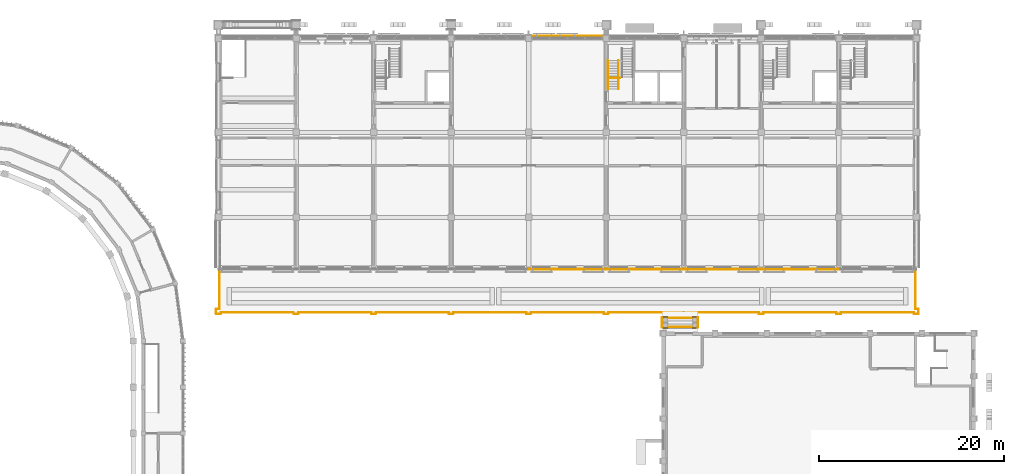
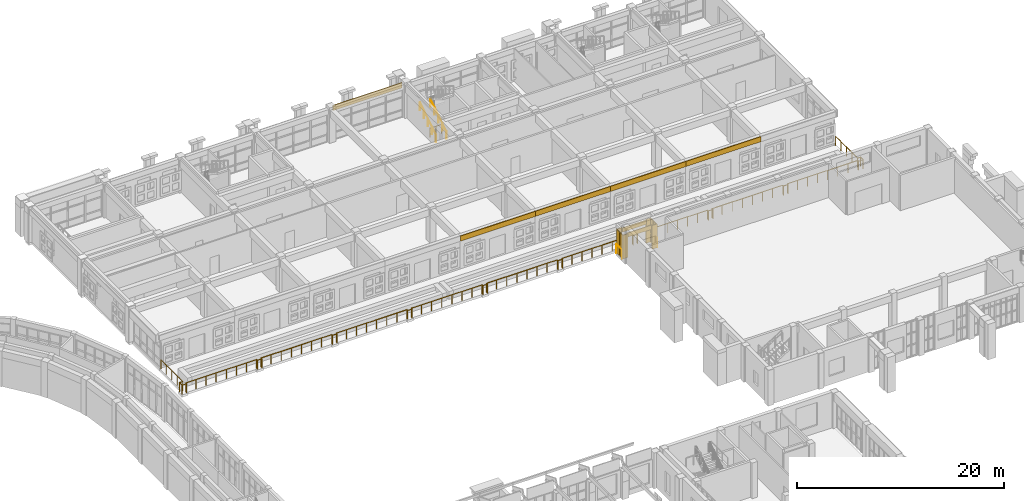
# One storey, part 91 of 99: 11 coverings, 6 railings.
"""IFC4 building model written with IfcOpenShell, lengths in metres."""

from ifc_helpers import new_model, si_unit, direction, frame, origin, origin_2d, place, context, subcontext, project, spatial, polyline, circle, outline, extrude, material, layer, layer_set, type_object, element, save


model = new_model("IFC4")

# Units and contexts
model_context = context("Model", 3, precision=1e-05, world=origin(), true_north=direction((0.0, 1.0)))
body_context = subcontext(model_context, "Body", "Model", "MODEL_VIEW")
ifc_project = project(units=[si_unit("LENGTHUNIT", "METRE"), si_unit("AREAUNIT", "SQUARE_METRE"), si_unit("VOLUMEUNIT", "CUBIC_METRE"), si_unit("PLANEANGLEUNIT", "RADIAN"), si_unit("MASSUNIT", "GRAM", prefix="KILO")], contexts=[model_context])

# Site, building, storey
site_placement = place(None, origin())
site = spatial("IfcSite", under=ifc_project, at=site_placement, CompositionType="ELEMENT")
building_placement = place(site_placement, origin())
building = spatial("IfcBuilding", under=site, at=building_placement, Name="Wasatch Bagh Community Centre", CompositionType="ELEMENT")
storey_placement = place(building_placement, frame((0.0, 0.0, 4.199951171875)))
storey = spatial("IfcBuildingStorey", under=building, at=storey_placement, Name="L01", CompositionType="ELEMENT", Elevation=4.199951171875)

# Coverings
ifc_material_1 = material(Name="Cast stone cladding", Category="masonry")
ifc_layer_1 = layer(ifc_material_1, 0.080078125)
ifc_layer_set_1 = layer_set([ifc_layer_1], Name="Cast stone cladding")
covering_type_1 = type_object("IfcCoveringType", Name="CL-B7 beam facing", PredefinedType="CLADDING", material=ifc_layer_set_1)
covering_1_placement = place(storey_placement, frame((0.0, 0.0, 3.320068359375)))
element("IfcCovering", 1, at=covering_1_placement, inside=storey, type_object=covering_type_1, Name="Beam facing", PredefinedType="CLADDING", context=body_context, shape_type="SweptSolid", body=[
    extrude(outline(polyline([(97.949951171875, 97.97509765625), (105.64990234375, 97.97509765625), (105.64990234375, 98.054931640625), (97.949951171875, 98.054931640625), (97.949951171875, 97.97509765625)])), origin(), (0.0, 0.0, 1.0), 0.60009765625),
])
covering_2_placement = place(storey_placement, frame((0.0, 0.0, 3.320068359375)))
element("IfcCovering", 2, at=covering_2_placement, inside=storey, type_object=covering_type_1, Name="Beam facing", PredefinedType="CLADDING", context=body_context, shape_type="SweptSolid", body=[
    extrude(outline(polyline([(97.60009765625, 72.824951171875), (106.0, 72.824951171875), (106.0, 72.7451171875), (97.60009765625, 72.7451171875), (97.60009765625, 72.824951171875)])), origin(), (0.0, 0.0, 1.0), 0.60009765625),
])
covering_3_placement = place(storey_placement, frame((0.0, 0.0, 3.320068359375)))
element("IfcCovering", 3, at=covering_3_placement, inside=storey, type_object=covering_type_1, Name="Beam facing", PredefinedType="CLADDING", context=body_context, shape_type="SweptSolid", body=[
    extrude(outline(polyline([(106.0, 72.824951171875), (114.39990234375, 72.824951171875), (114.39990234375, 72.7451171875), (106.0, 72.7451171875), (106.0, 72.824951171875)])), origin(), (0.0, 0.0, 1.0), 0.60009765625),
])
covering_4_placement = place(storey_placement, frame((0.0, 0.0, 3.320068359375)))
element("IfcCovering", 4, at=covering_4_placement, inside=storey, type_object=covering_type_1, Name="Beam facing", PredefinedType="CLADDING", context=body_context, shape_type="SweptSolid", body=[
    extrude(outline(polyline([(114.39990234375, 72.824951171875), (122.800048828125, 72.824951171875), (122.800048828125, 72.7451171875), (114.39990234375, 72.7451171875), (114.39990234375, 72.824951171875)])), origin(), (0.0, 0.0, 1.0), 0.60009765625),
])
covering_5_placement = place(storey_placement, frame((0.0, 0.0, 3.320068359375)))
element("IfcCovering", 5, at=covering_5_placement, inside=storey, type_object=covering_type_1, Name="Beam facing", PredefinedType="CLADDING", context=body_context, shape_type="SweptSolid", body=[
    extrude(outline(polyline([(122.800048828125, 72.824951171875), (131.199951171875, 72.824951171875), (131.199951171875, 72.7451171875), (122.800048828125, 72.7451171875), (122.800048828125, 72.824951171875)])), origin(), (0.0, 0.0, 1.0), 0.60009765625),
])
covering_6_placement = place(storey_placement, frame((0.0, 0.0, 2.320068359375)))
element("IfcCovering", 6, at=covering_6_placement, inside=storey, type_object=covering_type_1, Name="Beam facing", PredefinedType="CLADDING", context=body_context, shape_type="SweptSolid", body=[
    extrude(outline(polyline([(112.64990234375, 66.550048828125), (115.35009765625, 66.550048828125), (115.35009765625, 66.469970703125), (112.64990234375, 66.469970703125), (112.64990234375, 66.550048828125)])), origin(), (0.0, 0.0, 1.0), 0.5),
])
covering_7_placement = place(storey_placement, frame((0.0, 0.0, 2.320068359375)))
element("IfcCovering", 7, at=covering_7_placement, inside=storey, type_object=covering_type_1, Name="Beam facing", PredefinedType="CLADDING", context=body_context, shape_type="SweptSolid", body=[
    extrude(outline(polyline([(112.64990234375, 67.449951171875), (115.35009765625, 67.449951171875), (115.35009765625, 67.530029296875), (112.64990234375, 67.530029296875), (112.64990234375, 67.449951171875)])), origin(), (0.0, 0.0, 1.0), 0.5),
])
ifc_layer_2 = layer(ifc_material_1, 0.080078125)
ifc_layer_set_2 = layer_set([ifc_layer_2], Name="Cast stone cladding")
covering_type_2 = type_object("IfcCoveringType", Name="CL-C1 column facing", PredefinedType="CLADDING", material=ifc_layer_set_2)
covering_8_placement = place(storey_placement, frame((0.0, 0.0, 0.008056640625)))
element("IfcCovering", 8, at=covering_8_placement, inside=storey, type_object=covering_type_2, Name="Column facing", PredefinedType="CLADDING", context=body_context, shape_type="SweptSolid", body=[
    extrude(outline(polyline([(112.070068359375, 66.3701171875), (112.070068359375, 66.949951171875), (112.14990234375, 66.949951171875), (112.14990234375, 66.449951171875), (112.64990234375, 66.449951171875), (112.64990234375, 66.3701171875), (112.070068359375, 66.3701171875)])), origin(), (0.0, 0.0, 1.0), 2.81201171875),
])
covering_9_placement = place(storey_placement, frame((0.0, 0.0, 0.008056640625)))
element("IfcCovering", 9, at=covering_9_placement, inside=storey, type_object=covering_type_2, Name="Column facing", PredefinedType="CLADDING", context=body_context, shape_type="SweptSolid", body=[
    extrude(outline(polyline([(115.85009765625, 66.449951171875), (115.85009765625, 66.949951171875), (115.929931640625, 66.949951171875), (115.929931640625, 66.3701171875), (115.35009765625, 66.3701171875), (115.35009765625, 66.449951171875), (115.85009765625, 66.449951171875)])), origin(), (0.0, 0.0, 1.0), 2.81201171875),
])
covering_10_placement = place(storey_placement, frame((0.0, 0.0, 0.008056640625)))
element("IfcCovering", 10, at=covering_10_placement, inside=storey, type_object=covering_type_2, Name="Column facing", PredefinedType="CLADDING", context=body_context, shape_type="SweptSolid", body=[
    extrude(outline(polyline([(112.14990234375, 67.050048828125), (112.070068359375, 67.050048828125), (112.070068359375, 67.6298828125), (112.64990234375, 67.6298828125), (112.64990234375, 67.550048828125), (112.14990234375, 67.550048828125), (112.14990234375, 67.050048828125)])), origin(), (0.0, 0.0, 1.0), 2.81201171875),
])
covering_11_placement = place(storey_placement, frame((0.0, 0.0, 0.008056640625)))
element("IfcCovering", 11, at=covering_11_placement, inside=storey, type_object=covering_type_2, Name="Column facing", PredefinedType="CLADDING", context=body_context, shape_type="SweptSolid", body=[
    extrude(outline(polyline([(115.85009765625, 67.550048828125), (115.35009765625, 67.550048828125), (115.35009765625, 67.6298828125), (115.929931640625, 67.6298828125), (115.929931640625, 67.050048828125), (115.85009765625, 67.050048828125), (115.85009765625, 67.550048828125)])), origin(), (0.0, 0.0, 1.0), 2.81201171875),
])

# Railings
ifc_material_2 = material(Name="Painted steel with jali infill", Category="steel")
railing_type_1 = type_object("IfcRailingType", Name="LW guard 1100", PredefinedType="GUARDRAIL", material=ifc_material_2)
railing_1_placement = place(storey_placement, frame((139.5, 72.699951171875, 0.0)))
element("IfcRailing", 12, at=railing_1_placement, inside=storey, type_object=railing_type_1, Name="Terrace guard T1", PredefinedType="GUARDRAIL", context=body_context, shape_type="SweptSolid", body=[
    extrude(circle(Radius=0.02490234375, at=origin_2d()), frame((0.0, 0.0, 1.0751953125), z_axis=(0.0, -1.0, 0.0), x_axis=(1.0, 0.0, 0.0)), (0.0, 0.0, 1.0), 4.25),
    extrude(circle(Radius=0.02490234375, at=origin_2d()), frame((0.0, -4.25, 1.0751953125), z_axis=(1.0, 0.0, 0.0), x_axis=(0.0, 1.0, 0.0)), (0.0, 0.0, 1.0), 0.35009765625),
    extrude(circle(Radius=0.02490234375, at=origin_2d()), frame((0.35009765625, -4.25, 1.0751953125), z_axis=(0.0, -1.0, 0.0), x_axis=(1.0, 0.0, 0.0)), (0.0, 0.0, 1.0), 0.5),
    extrude(circle(Radius=0.02490234375, at=origin_2d()), frame((0.35009765625, -4.75, 1.0751953125), z_axis=(-1.0, 0.0, 0.0), x_axis=(0.0, -1.0, 0.0)), (0.0, 0.0, 1.0), 0.5),
    extrude(circle(Radius=0.02490234375, at=origin_2d()), frame((-0.14990234375, -4.75, 1.0751953125), z_axis=(0.0, 1.0, 0.0), x_axis=(-1.0, 0.0, 0.0)), (0.0, 0.0, 1.0), 0.150146484375),
    extrude(circle(Radius=0.02490234375, at=origin_2d()), frame((-0.14990234375, -4.599853515625, 1.0751953125), z_axis=(-1.0, 0.0, 0.0), x_axis=(0.0, -1.0, 0.0)), (0.0, 0.0, 1.0), 7.900146484375),
    extrude(circle(Radius=0.02490234375, at=origin_2d()), frame((-8.050048828125, -4.599853515625, 1.0751953125), z_axis=(0.0, -1.0, 0.0), x_axis=(1.0, 0.0, 0.0)), (0.0, 0.0, 1.0), 0.150146484375),
    extrude(circle(Radius=0.02490234375, at=origin_2d()), frame((-8.050048828125, -4.75, 1.0751953125), z_axis=(-1.0, 0.0, 0.0), x_axis=(0.0, -1.0, 0.0)), (0.0, 0.0, 1.0), 0.5),
    extrude(circle(Radius=0.02490234375, at=origin_2d()), frame((-8.550048828125, -4.75, 1.0751953125), z_axis=(0.0, 1.0, 0.0), x_axis=(-1.0, 0.0, 0.0)), (0.0, 0.0, 1.0), 0.150146484375),
    extrude(circle(Radius=0.02490234375, at=origin_2d()), frame((-8.550048828125, -4.599853515625, 1.0751953125), z_axis=(-1.0, 0.0, 0.0), x_axis=(0.0, -1.0, 0.0)), (0.0, 0.0, 1.0), 7.89990234375),
    extrude(circle(Radius=0.02490234375, at=origin_2d()), frame((-16.449951171875, -4.599853515625, 1.0751953125), z_axis=(0.0, -1.0, 0.0), x_axis=(1.0, 0.0, 0.0)), (0.0, 0.0, 1.0), 0.150146484375),
    extrude(circle(Radius=0.02490234375, at=origin_2d()), frame((-16.449951171875, -4.75, 1.0751953125), z_axis=(-1.0, 0.0, 0.0), x_axis=(0.0, -1.0, 0.0)), (0.0, 0.0, 1.0), 0.5),
    extrude(circle(Radius=0.02490234375, at=origin_2d()), frame((-16.949951171875, -4.75, 1.0751953125), z_axis=(0.0, 1.0, 0.0), x_axis=(-1.0, 0.0, 0.0)), (0.0, 0.0, 1.0), 0.150146484375),
    extrude(circle(Radius=0.02490234375, at=origin_2d()), frame((-16.949951171875, -4.599853515625, 1.0751953125), z_axis=(-1.0, 0.0, 0.0), x_axis=(0.0, -1.0, 0.0)), (0.0, 0.0, 1.0), 7.900146484375),
    extrude(circle(Radius=0.02490234375, at=origin_2d()), frame((-24.85009765625, -4.599853515625, 1.0751953125), z_axis=(0.0, -1.0, 0.0), x_axis=(1.0, 0.0, 0.0)), (0.0, 0.0, 1.0), 0.150146484375),
    extrude(circle(Radius=0.02490234375, at=origin_2d()), frame((-24.85009765625, -4.75, 1.0751953125), z_axis=(-1.0, 0.0, 0.0), x_axis=(0.0, -1.0, 0.0)), (0.0, 0.0, 1.0), 0.5),
    extrude(circle(Radius=0.02490234375, at=origin_2d()), frame((-25.35009765625, -4.75, 1.0751953125), z_axis=(0.0, 1.0, 0.0), x_axis=(-1.0, 0.0, 0.0)), (0.0, 0.0, 1.0), 0.150146484375),
    extrude(circle(Radius=0.02490234375, at=origin_2d()), frame((-25.35009765625, -4.599853515625, 1.0751953125), z_axis=(-1.0, 0.0, 0.0), x_axis=(0.0, -1.0, 0.0)), (0.0, 0.0, 1.0), 7.89990234375),
    extrude(circle(Radius=0.02490234375, at=origin_2d()), frame((-33.25, -4.599853515625, 1.0751953125), z_axis=(0.0, -1.0, 0.0), x_axis=(1.0, 0.0, 0.0)), (0.0, 0.0, 1.0), 0.150146484375),
    extrude(circle(Radius=0.02490234375, at=origin_2d()), frame((-33.25, -4.75, 1.0751953125), z_axis=(-1.0, 0.0, 0.0), x_axis=(0.0, -1.0, 0.0)), (0.0, 0.0, 1.0), 0.5),
    extrude(circle(Radius=0.02490234375, at=origin_2d()), frame((-33.75, -4.75, 1.0751953125), z_axis=(0.0, 1.0, 0.0), x_axis=(-1.0, 0.0, 0.0)), (0.0, 0.0, 1.0), 0.150146484375),
    extrude(circle(Radius=0.02490234375, at=origin_2d()), frame((-33.75, -4.599853515625, 1.0751953125), z_axis=(-1.0, 0.0, 0.0), x_axis=(0.0, -1.0, 0.0)), (0.0, 0.0, 1.0), 7.89990234375),
    extrude(circle(Radius=0.02490234375, at=origin_2d()), frame((-41.64990234375, -4.599853515625, 1.0751953125), z_axis=(0.0, -1.0, 0.0), x_axis=(1.0, 0.0, 0.0)), (0.0, 0.0, 1.0), 0.150146484375),
    extrude(circle(Radius=0.02490234375, at=origin_2d()), frame((-41.64990234375, -4.75, 1.0751953125), z_axis=(-1.0, 0.0, 0.0), x_axis=(0.0, -1.0, 0.0)), (0.0, 0.0, 1.0), 0.5),
    extrude(circle(Radius=0.02490234375, at=origin_2d()), frame((-42.14990234375, -4.75, 1.0751953125), z_axis=(0.0, 1.0, 0.0), x_axis=(-1.0, 0.0, 0.0)), (0.0, 0.0, 1.0), 0.150146484375),
    extrude(circle(Radius=0.02490234375, at=origin_2d()), frame((-42.14990234375, -4.599853515625, 1.0751953125), z_axis=(-1.0, 0.0, 0.0), x_axis=(0.0, -1.0, 0.0)), (0.0, 0.0, 1.0), 7.900146484375),
    extrude(circle(Radius=0.02490234375, at=origin_2d()), frame((-50.050048828125, -4.599853515625, 1.0751953125), z_axis=(0.0, -1.0, 0.0), x_axis=(1.0, 0.0, 0.0)), (0.0, 0.0, 1.0), 0.150146484375),
    extrude(circle(Radius=0.02490234375, at=origin_2d()), frame((-50.050048828125, -4.75, 1.0751953125), z_axis=(-1.0, 0.0, 0.0), x_axis=(0.0, -1.0, 0.0)), (0.0, 0.0, 1.0), 0.5),
    extrude(circle(Radius=0.02490234375, at=origin_2d()), frame((-50.550048828125, -4.75, 1.0751953125), z_axis=(0.0, 1.0, 0.0), x_axis=(-1.0, 0.0, 0.0)), (0.0, 0.0, 1.0), 0.150146484375),
    extrude(circle(Radius=0.02490234375, at=origin_2d()), frame((-50.550048828125, -4.599853515625, 1.0751953125), z_axis=(-1.0, 0.0, 0.0), x_axis=(0.0, -1.0, 0.0)), (0.0, 0.0, 1.0), 7.89990234375),
    extrude(circle(Radius=0.02490234375, at=origin_2d()), frame((-58.449951171875, -4.599853515625, 1.0751953125), z_axis=(0.0, -1.0, 0.0), x_axis=(1.0, 0.0, 0.0)), (0.0, 0.0, 1.0), 0.150146484375),
    extrude(circle(Radius=0.02490234375, at=origin_2d()), frame((-58.449951171875, -4.75, 1.0751953125), z_axis=(-1.0, 0.0, 0.0), x_axis=(0.0, -1.0, 0.0)), (0.0, 0.0, 1.0), 0.5),
    extrude(circle(Radius=0.02490234375, at=origin_2d()), frame((-58.949951171875, -4.75, 1.0751953125), z_axis=(0.0, 1.0, 0.0), x_axis=(-1.0, 0.0, 0.0)), (0.0, 0.0, 1.0), 0.150146484375),
    extrude(circle(Radius=0.02490234375, at=origin_2d()), frame((-58.949951171875, -4.599853515625, 1.0751953125), z_axis=(-1.0, 0.0, 0.0), x_axis=(0.0, -1.0, 0.0)), (0.0, 0.0, 1.0), 7.900146484375),
    extrude(circle(Radius=0.02490234375, at=origin_2d()), frame((-66.85009765625, -4.599853515625, 1.0751953125), z_axis=(0.0, -1.0, 0.0), x_axis=(1.0, 0.0, 0.0)), (0.0, 0.0, 1.0), 0.150146484375),
    extrude(circle(Radius=0.02490234375, at=origin_2d()), frame((-66.85009765625, -4.75, 1.0751953125), z_axis=(-1.0, 0.0, 0.0), x_axis=(0.0, -1.0, 0.0)), (0.0, 0.0, 1.0), 0.5),
    extrude(circle(Radius=0.02490234375, at=origin_2d()), frame((-67.35009765625, -4.75, 1.0751953125), z_axis=(0.0, 1.0, 0.0), x_axis=(-1.0, 0.0, 0.0)), (0.0, 0.0, 1.0), 0.150146484375),
    extrude(circle(Radius=0.02490234375, at=origin_2d()), frame((-67.35009765625, -4.599853515625, 1.0751953125), z_axis=(-1.0, 0.0, 0.0), x_axis=(0.0, -1.0, 0.0)), (0.0, 0.0, 1.0), 7.89990234375),
    extrude(circle(Radius=0.02490234375, at=origin_2d()), frame((-75.25, -4.599853515625, 1.0751953125), z_axis=(0.0, -1.0, 0.0), x_axis=(1.0, 0.0, 0.0)), (0.0, 0.0, 1.0), 0.150146484375),
    extrude(circle(Radius=0.02490234375, at=origin_2d()), frame((-75.25, -4.75, 1.0751953125), z_axis=(-1.0, 0.0, 0.0), x_axis=(0.0, -1.0, 0.0)), (0.0, 0.0, 1.0), 0.5),
    extrude(circle(Radius=0.02490234375, at=origin_2d()), frame((-75.75, -4.75, 1.0751953125), z_axis=(0.0, 1.0, 0.0), x_axis=(-1.0, 0.0, 0.0)), (0.0, 0.0, 1.0), 0.5),
    extrude(circle(Radius=0.02490234375, at=origin_2d()), frame((-75.75, -4.25, 1.0751953125), z_axis=(1.0, 0.0, 0.0), x_axis=(0.0, 1.0, 0.0)), (0.0, 0.0, 1.0), 0.35009765625),
    extrude(circle(Radius=0.02490234375, at=origin_2d()), frame((-75.39990234375, -4.25, 1.0751953125), z_axis=(0.0, 1.0, 0.0), x_axis=(-1.0, 0.0, 0.0)), (0.0, 0.0, 1.0), 4.25),
    extrude(circle(Radius=0.02001953125, at=origin_2d()), origin(), (0.0, 0.0, 1.0), 1.050048828125),
    extrude(circle(Radius=0.02001953125, at=origin_2d()), frame((0.0, -1.0625, 0.0)), (0.0, 0.0, 1.0), 1.050048828125),
    extrude(circle(Radius=0.02001953125, at=origin_2d()), frame((0.0, -2.125, 0.0)), (0.0, 0.0, 1.0), 1.050048828125),
    extrude(circle(Radius=0.02001953125, at=origin_2d()), frame((0.0, -3.1875, 0.0)), (0.0, 0.0, 1.0), 1.050048828125),
    extrude(circle(Radius=0.02001953125, at=origin_2d()), frame((0.0, -4.25, 0.0)), (0.0, 0.0, 1.0), 1.050048828125),
    extrude(circle(Radius=0.02001953125, at=origin_2d()), frame((0.35009765625, -4.25, 0.0)), (0.0, 0.0, 1.0), 1.050048828125),
    extrude(circle(Radius=0.02001953125, at=origin_2d()), frame((0.35009765625, -4.75, 0.0)), (0.0, 0.0, 1.0), 1.050048828125),
    extrude(circle(Radius=0.02001953125, at=origin_2d()), frame((-0.14990234375, -4.75, 0.0)), (0.0, 0.0, 1.0), 1.050048828125),
    extrude(circle(Radius=0.02001953125, at=origin_2d()), frame((-0.14990234375, -4.599853515625, 0.0)), (0.0, 0.0, 1.0), 1.050048828125),
    extrude(circle(Radius=0.02001953125, at=origin_2d()), frame((-1.278564453125, -4.599853515625, 0.0)), (0.0, 0.0, 1.0), 1.050048828125),
    extrude(circle(Radius=0.02001953125, at=origin_2d()), frame((-2.406982421875, -4.599853515625, 0.0)), (0.0, 0.0, 1.0), 1.050048828125),
    extrude(circle(Radius=0.02001953125, at=origin_2d()), frame((-3.53564453125, -4.599853515625, 0.0)), (0.0, 0.0, 1.0), 1.050048828125),
    extrude(circle(Radius=0.02001953125, at=origin_2d()), frame((-4.664306640625, -4.599853515625, 0.0)), (0.0, 0.0, 1.0), 1.050048828125),
    extrude(circle(Radius=0.02001953125, at=origin_2d()), frame((-5.79296875, -4.599853515625, 0.0)), (0.0, 0.0, 1.0), 1.050048828125),
    extrude(circle(Radius=0.02001953125, at=origin_2d()), frame((-6.92138671875, -4.599853515625, 0.0)), (0.0, 0.0, 1.0), 1.050048828125),
    extrude(circle(Radius=0.02001953125, at=origin_2d()), frame((-8.050048828125, -4.599853515625, 0.0)), (0.0, 0.0, 1.0), 1.050048828125),
    extrude(circle(Radius=0.02001953125, at=origin_2d()), frame((-8.050048828125, -4.75, 0.0)), (0.0, 0.0, 1.0), 1.050048828125),
    extrude(circle(Radius=0.02001953125, at=origin_2d()), frame((-8.550048828125, -4.75, 0.0)), (0.0, 0.0, 1.0), 1.050048828125),
    extrude(circle(Radius=0.02001953125, at=origin_2d()), frame((-8.550048828125, -4.599853515625, 0.0)), (0.0, 0.0, 1.0), 1.050048828125),
    extrude(circle(Radius=0.02001953125, at=origin_2d()), frame((-9.6787109375, -4.599853515625, 0.0)), (0.0, 0.0, 1.0), 1.050048828125),
    extrude(circle(Radius=0.02001953125, at=origin_2d()), frame((-10.80712890625, -4.599853515625, 0.0)), (0.0, 0.0, 1.0), 1.050048828125),
    extrude(circle(Radius=0.02001953125, at=origin_2d()), frame((-11.935791015625, -4.599853515625, 0.0)), (0.0, 0.0, 1.0), 1.050048828125),
    extrude(circle(Radius=0.02001953125, at=origin_2d()), frame((-13.064208984375, -4.599853515625, 0.0)), (0.0, 0.0, 1.0), 1.050048828125),
    extrude(circle(Radius=0.02001953125, at=origin_2d()), frame((-14.19287109375, -4.599853515625, 0.0)), (0.0, 0.0, 1.0), 1.050048828125),
    extrude(circle(Radius=0.02001953125, at=origin_2d()), frame((-15.3212890625, -4.599853515625, 0.0)), (0.0, 0.0, 1.0), 1.050048828125),
    extrude(circle(Radius=0.02001953125, at=origin_2d()), frame((-16.449951171875, -4.599853515625, 0.0)), (0.0, 0.0, 1.0), 1.050048828125),
    extrude(circle(Radius=0.02001953125, at=origin_2d()), frame((-16.449951171875, -4.75, 0.0)), (0.0, 0.0, 1.0), 1.050048828125),
    extrude(circle(Radius=0.02001953125, at=origin_2d()), frame((-16.949951171875, -4.75, 0.0)), (0.0, 0.0, 1.0), 1.050048828125),
    extrude(circle(Radius=0.02001953125, at=origin_2d()), frame((-16.949951171875, -4.599853515625, 0.0)), (0.0, 0.0, 1.0), 1.050048828125),
    extrude(circle(Radius=0.02001953125, at=origin_2d()), frame((-18.07861328125, -4.599853515625, 0.0)), (0.0, 0.0, 1.0), 1.050048828125),
    extrude(circle(Radius=0.02001953125, at=origin_2d()), frame((-19.20703125, -4.599853515625, 0.0)), (0.0, 0.0, 1.0), 1.050048828125),
    extrude(circle(Radius=0.02001953125, at=origin_2d()), frame((-20.335693359375, -4.599853515625, 0.0)), (0.0, 0.0, 1.0), 1.050048828125),
    extrude(circle(Radius=0.02001953125, at=origin_2d()), frame((-21.46435546875, -4.599853515625, 0.0)), (0.0, 0.0, 1.0), 1.050048828125),
    extrude(circle(Radius=0.02001953125, at=origin_2d()), frame((-22.593017578125, -4.599853515625, 0.0)), (0.0, 0.0, 1.0), 1.050048828125),
    extrude(circle(Radius=0.02001953125, at=origin_2d()), frame((-23.721435546875, -4.599853515625, 0.0)), (0.0, 0.0, 1.0), 1.050048828125),
    extrude(circle(Radius=0.02001953125, at=origin_2d()), frame((-24.85009765625, -4.599853515625, 0.0)), (0.0, 0.0, 1.0), 1.050048828125),
    extrude(circle(Radius=0.02001953125, at=origin_2d()), frame((-24.85009765625, -4.75, 0.0)), (0.0, 0.0, 1.0), 1.050048828125),
    extrude(circle(Radius=0.02001953125, at=origin_2d()), frame((-25.35009765625, -4.75, 0.0)), (0.0, 0.0, 1.0), 1.050048828125),
    extrude(circle(Radius=0.02001953125, at=origin_2d()), frame((-25.35009765625, -4.599853515625, 0.0)), (0.0, 0.0, 1.0), 1.050048828125),
    extrude(circle(Radius=0.02001953125, at=origin_2d()), frame((-26.478759765625, -4.599853515625, 0.0)), (0.0, 0.0, 1.0), 1.050048828125),
    extrude(circle(Radius=0.02001953125, at=origin_2d()), frame((-27.607177734375, -4.599853515625, 0.0)), (0.0, 0.0, 1.0), 1.050048828125),
    extrude(circle(Radius=0.02001953125, at=origin_2d()), frame((-28.73583984375, -4.599853515625, 0.0)), (0.0, 0.0, 1.0), 1.050048828125),
    extrude(circle(Radius=0.02001953125, at=origin_2d()), frame((-29.8642578125, -4.599853515625, 0.0)), (0.0, 0.0, 1.0), 1.050048828125),
    extrude(circle(Radius=0.02001953125, at=origin_2d()), frame((-30.992919921875, -4.599853515625, 0.0)), (0.0, 0.0, 1.0), 1.050048828125),
    extrude(circle(Radius=0.02001953125, at=origin_2d()), frame((-32.121337890625, -4.599853515625, 0.0)), (0.0, 0.0, 1.0), 1.050048828125),
    extrude(circle(Radius=0.02001953125, at=origin_2d()), frame((-33.25, -4.599853515625, 0.0)), (0.0, 0.0, 1.0), 1.050048828125),
    extrude(circle(Radius=0.02001953125, at=origin_2d()), frame((-33.25, -4.75, 0.0)), (0.0, 0.0, 1.0), 1.050048828125),
    extrude(circle(Radius=0.02001953125, at=origin_2d()), frame((-33.75, -4.75, 0.0)), (0.0, 0.0, 1.0), 1.050048828125),
    extrude(circle(Radius=0.02001953125, at=origin_2d()), frame((-33.75, -4.599853515625, 0.0)), (0.0, 0.0, 1.0), 1.050048828125),
    extrude(circle(Radius=0.02001953125, at=origin_2d()), frame((-34.878662109375, -4.599853515625, 0.0)), (0.0, 0.0, 1.0), 1.050048828125),
    extrude(circle(Radius=0.02001953125, at=origin_2d()), frame((-36.007080078125, -4.599853515625, 0.0)), (0.0, 0.0, 1.0), 1.050048828125),
    extrude(circle(Radius=0.02001953125, at=origin_2d()), frame((-37.1357421875, -4.599853515625, 0.0)), (0.0, 0.0, 1.0), 1.050048828125),
    extrude(circle(Radius=0.02001953125, at=origin_2d()), frame((-38.26416015625, -4.599853515625, 0.0)), (0.0, 0.0, 1.0), 1.050048828125),
    extrude(circle(Radius=0.02001953125, at=origin_2d()), frame((-39.392822265625, -4.599853515625, 0.0)), (0.0, 0.0, 1.0), 1.050048828125),
    extrude(circle(Radius=0.02001953125, at=origin_2d()), frame((-40.521240234375, -4.599853515625, 0.0)), (0.0, 0.0, 1.0), 1.050048828125),
    extrude(circle(Radius=0.02001953125, at=origin_2d()), frame((-41.64990234375, -4.599853515625, 0.0)), (0.0, 0.0, 1.0), 1.050048828125),
    extrude(circle(Radius=0.02001953125, at=origin_2d()), frame((-41.64990234375, -4.75, 0.0)), (0.0, 0.0, 1.0), 1.050048828125),
    extrude(circle(Radius=0.02001953125, at=origin_2d()), frame((-42.14990234375, -4.75, 0.0)), (0.0, 0.0, 1.0), 1.050048828125),
    extrude(circle(Radius=0.02001953125, at=origin_2d()), frame((-42.14990234375, -4.599853515625, 0.0)), (0.0, 0.0, 1.0), 1.050048828125),
    extrude(circle(Radius=0.02001953125, at=origin_2d()), frame((-43.278564453125, -4.599853515625, 0.0)), (0.0, 0.0, 1.0), 1.050048828125),
    extrude(circle(Radius=0.02001953125, at=origin_2d()), frame((-44.406982421875, -4.599853515625, 0.0)), (0.0, 0.0, 1.0), 1.050048828125),
    extrude(circle(Radius=0.02001953125, at=origin_2d()), frame((-45.53564453125, -4.599853515625, 0.0)), (0.0, 0.0, 1.0), 1.050048828125),
    extrude(circle(Radius=0.02001953125, at=origin_2d()), frame((-46.664306640625, -4.599853515625, 0.0)), (0.0, 0.0, 1.0), 1.050048828125),
    extrude(circle(Radius=0.02001953125, at=origin_2d()), frame((-47.79296875, -4.599853515625, 0.0)), (0.0, 0.0, 1.0), 1.050048828125),
    extrude(circle(Radius=0.02001953125, at=origin_2d()), frame((-48.92138671875, -4.599853515625, 0.0)), (0.0, 0.0, 1.0), 1.050048828125),
    extrude(circle(Radius=0.02001953125, at=origin_2d()), frame((-50.050048828125, -4.599853515625, 0.0)), (0.0, 0.0, 1.0), 1.050048828125),
    extrude(circle(Radius=0.02001953125, at=origin_2d()), frame((-50.050048828125, -4.75, 0.0)), (0.0, 0.0, 1.0), 1.050048828125),
    extrude(circle(Radius=0.02001953125, at=origin_2d()), frame((-50.550048828125, -4.75, 0.0)), (0.0, 0.0, 1.0), 1.050048828125),
    extrude(circle(Radius=0.02001953125, at=origin_2d()), frame((-50.550048828125, -4.599853515625, 0.0)), (0.0, 0.0, 1.0), 1.050048828125),
    extrude(circle(Radius=0.02001953125, at=origin_2d()), frame((-51.6787109375, -4.599853515625, 0.0)), (0.0, 0.0, 1.0), 1.050048828125),
    extrude(circle(Radius=0.02001953125, at=origin_2d()), frame((-52.80712890625, -4.599853515625, 0.0)), (0.0, 0.0, 1.0), 1.050048828125),
    extrude(circle(Radius=0.02001953125, at=origin_2d()), frame((-53.935791015625, -4.599853515625, 0.0)), (0.0, 0.0, 1.0), 1.050048828125),
    extrude(circle(Radius=0.02001953125, at=origin_2d()), frame((-55.064208984375, -4.599853515625, 0.0)), (0.0, 0.0, 1.0), 1.050048828125),
    extrude(circle(Radius=0.02001953125, at=origin_2d()), frame((-56.19287109375, -4.599853515625, 0.0)), (0.0, 0.0, 1.0), 1.050048828125),
    extrude(circle(Radius=0.02001953125, at=origin_2d()), frame((-57.3212890625, -4.599853515625, 0.0)), (0.0, 0.0, 1.0), 1.050048828125),
    extrude(circle(Radius=0.02001953125, at=origin_2d()), frame((-58.449951171875, -4.599853515625, 0.0)), (0.0, 0.0, 1.0), 1.050048828125),
    extrude(circle(Radius=0.02001953125, at=origin_2d()), frame((-58.449951171875, -4.75, 0.0)), (0.0, 0.0, 1.0), 1.050048828125),
    extrude(circle(Radius=0.02001953125, at=origin_2d()), frame((-58.949951171875, -4.75, 0.0)), (0.0, 0.0, 1.0), 1.050048828125),
    extrude(circle(Radius=0.02001953125, at=origin_2d()), frame((-58.949951171875, -4.599853515625, 0.0)), (0.0, 0.0, 1.0), 1.050048828125),
    extrude(circle(Radius=0.02001953125, at=origin_2d()), frame((-60.07861328125, -4.599853515625, 0.0)), (0.0, 0.0, 1.0), 1.050048828125),
    extrude(circle(Radius=0.02001953125, at=origin_2d()), frame((-61.20703125, -4.599853515625, 0.0)), (0.0, 0.0, 1.0), 1.050048828125),
    extrude(circle(Radius=0.02001953125, at=origin_2d()), frame((-62.335693359375, -4.599853515625, 0.0)), (0.0, 0.0, 1.0), 1.050048828125),
    extrude(circle(Radius=0.02001953125, at=origin_2d()), frame((-63.46435546875, -4.599853515625, 0.0)), (0.0, 0.0, 1.0), 1.050048828125),
    extrude(circle(Radius=0.02001953125, at=origin_2d()), frame((-64.593017578125, -4.599853515625, 0.0)), (0.0, 0.0, 1.0), 1.050048828125),
    extrude(circle(Radius=0.02001953125, at=origin_2d()), frame((-65.721435546875, -4.599853515625, 0.0)), (0.0, 0.0, 1.0), 1.050048828125),
    extrude(circle(Radius=0.02001953125, at=origin_2d()), frame((-66.85009765625, -4.599853515625, 0.0)), (0.0, 0.0, 1.0), 1.050048828125),
    extrude(circle(Radius=0.02001953125, at=origin_2d()), frame((-66.85009765625, -4.75, 0.0)), (0.0, 0.0, 1.0), 1.050048828125),
    extrude(circle(Radius=0.02001953125, at=origin_2d()), frame((-67.35009765625, -4.75, 0.0)), (0.0, 0.0, 1.0), 1.050048828125),
    extrude(circle(Radius=0.02001953125, at=origin_2d()), frame((-67.35009765625, -4.599853515625, 0.0)), (0.0, 0.0, 1.0), 1.050048828125),
    extrude(circle(Radius=0.02001953125, at=origin_2d()), frame((-68.478759765625, -4.599853515625, 0.0)), (0.0, 0.0, 1.0), 1.050048828125),
    extrude(circle(Radius=0.02001953125, at=origin_2d()), frame((-69.607177734375, -4.599853515625, 0.0)), (0.0, 0.0, 1.0), 1.050048828125),
    extrude(circle(Radius=0.02001953125, at=origin_2d()), frame((-70.73583984375, -4.599853515625, 0.0)), (0.0, 0.0, 1.0), 1.050048828125),
    extrude(circle(Radius=0.02001953125, at=origin_2d()), frame((-71.8642578125, -4.599853515625, 0.0)), (0.0, 0.0, 1.0), 1.050048828125),
    extrude(circle(Radius=0.02001953125, at=origin_2d()), frame((-72.992919921875, -4.599853515625, 0.0)), (0.0, 0.0, 1.0), 1.050048828125),
    extrude(circle(Radius=0.02001953125, at=origin_2d()), frame((-74.121337890625, -4.599853515625, 0.0)), (0.0, 0.0, 1.0), 1.050048828125),
    extrude(circle(Radius=0.02001953125, at=origin_2d()), frame((-75.25, -4.599853515625, 0.0)), (0.0, 0.0, 1.0), 1.050048828125),
    extrude(circle(Radius=0.02001953125, at=origin_2d()), frame((-75.25, -4.75, 0.0)), (0.0, 0.0, 1.0), 1.050048828125),
    extrude(circle(Radius=0.02001953125, at=origin_2d()), frame((-75.75, -4.75, 0.0)), (0.0, 0.0, 1.0), 1.050048828125),
    extrude(circle(Radius=0.02001953125, at=origin_2d()), frame((-75.75, -4.25, 0.0)), (0.0, 0.0, 1.0), 1.050048828125),
    extrude(circle(Radius=0.02001953125, at=origin_2d()), frame((-75.39990234375, -4.25, 0.0)), (0.0, 0.0, 1.0), 1.050048828125),
    extrude(circle(Radius=0.02001953125, at=origin_2d()), frame((-75.39990234375, -3.1875, 0.0)), (0.0, 0.0, 1.0), 1.050048828125),
    extrude(circle(Radius=0.02001953125, at=origin_2d()), frame((-75.39990234375, -2.125, 0.0)), (0.0, 0.0, 1.0), 1.050048828125),
    extrude(circle(Radius=0.02001953125, at=origin_2d()), frame((-75.39990234375, -1.0625, 0.0)), (0.0, 0.0, 1.0), 1.050048828125),
    extrude(circle(Radius=0.02001953125, at=origin_2d()), frame((-75.39990234375, 0.0, 0.0)), (0.0, 0.0, 1.0), 1.050048828125),
])
railing_2_placement = place(storey_placement, frame((106.199951171875, 93.5, 0.0)))
element("IfcRailing", 13, at=railing_2_placement, inside=storey, type_object=railing_type_1, Name="Guard C2", PredefinedType="GUARDRAIL", context=body_context, shape_type="SweptSolid", body=[
    extrude(circle(Radius=0.02490234375, at=origin_2d()), frame((0.0, 0.0, 1.0751953125), z_axis=(1.0, 0.0, 0.0), x_axis=(0.0, 1.0, 0.0)), (0.0, 0.0, 1.0), 1.300048828125),
    extrude(circle(Radius=0.02001953125, at=origin_2d()), origin(), (0.0, 0.0, 1.0), 1.050048828125),
    extrude(circle(Radius=0.02001953125, at=origin_2d()), frame((0.64990234375, 0.0, 0.0)), (0.0, 0.0, 1.0), 1.050048828125),
    extrude(circle(Radius=0.02001953125, at=origin_2d()), frame((1.300048828125, 0.0, 0.0)), (0.0, 0.0, 1.0), 1.050048828125),
])
ifc_material_3 = material(Name="Painted steel tube", Category="steel")
railing_type_2 = type_object("IfcRailingType", Name="LW stair handrail 900", PredefinedType="HANDRAIL", material=ifc_material_3)
for number, where, name in (
    (14, (106.175048828125, 92.300048828125, 0.175048828125), "Handrail C2"),
    (15, (107.3349609375, 92.300048828125, 0.175048828125), "Handrail C2"),
):
    element("IfcRailing", number, at=place(storey_placement, frame(where)), inside=storey, type_object=railing_type_2, Name=name, PredefinedType="HANDRAIL", context=body_context, shape_type="SweptSolid", body=[
        extrude(circle(Radius=0.0224609375, at=origin_2d()), frame((0.0, 0.0, 0.87744140625), z_axis=(0.0, 0.847979421464, 0.530029150871), x_axis=(-1.0, 0.0, 0.0)), (0.0, 0.0, 1.0), 3.632080078125),
        extrude(circle(Radius=0.02001953125, at=origin_2d()), origin(), (0.0, 0.0, 1.0), 0.85498046875),
        extrude(circle(Radius=0.02001953125, at=origin_2d()), frame((0.0, 0.77001953125, 0.481201171875)), (0.0, 0.0, 1.0), 0.85498046875),
        extrude(circle(Radius=0.02001953125, at=origin_2d()), frame((0.0, 1.5400390625, 0.96240234375)), (0.0, 0.0, 1.0), 0.85498046875),
        extrude(circle(Radius=0.02001953125, at=origin_2d()), frame((0.0, 2.309814453125, 1.44384765625)), (0.0, 0.0, 1.0), 0.85498046875),
        extrude(circle(Radius=0.02001953125, at=origin_2d()), frame((0.0, 3.079833984375, 1.925048828125)), (0.0, 0.0, 1.0), 0.85498046875),
    ])
ifc_material_4 = material(Name="ASTM A36 steel plate", Category="steel")
railing_type_3 = type_object("IfcRailingType", Name="PA-G1", PredefinedType="GUARDRAIL", material=ifc_material_4)
for number, where, name in (
    (16, (112.06005859375, 66.4599609375, 0.0), "GUARD PA3.1"),
    (17, (115.93994140625, 66.4599609375, 0.0), "GUARD PA3.2"),
):
    element("IfcRailing", number, at=place(storey_placement, frame(where)), inside=storey, type_object=railing_type_3, Name=name, PredefinedType="GUARDRAIL", context=body_context, shape_type="SweptSolid", body=[
        extrude(circle(Radius=0.02392578125, at=origin_2d()), frame((0.0, 0.0, 1.076171875), z_axis=(0.0, 1.0, 0.0), x_axis=(-1.0, 0.0, 0.0)), (0.0, 0.0, 1.0), 1.080078125),
        extrude(circle(Radius=0.02099609375, at=origin_2d()), origin(), (0.0, 0.0, 1.0), 1.052001953125),
        extrude(circle(Radius=0.02099609375, at=origin_2d()), frame((0.0, 1.080078125, 0.0)), (0.0, 0.0, 1.0), 1.052001953125),
    ])

save(model, "model.ifc")
